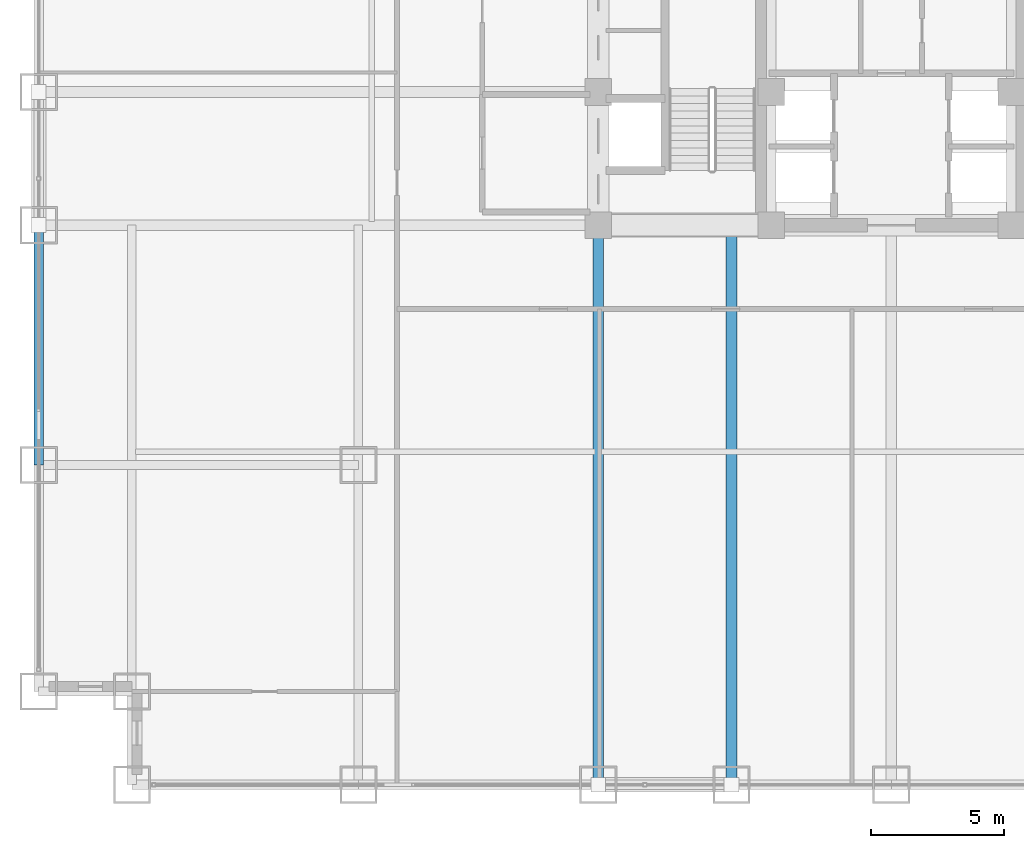
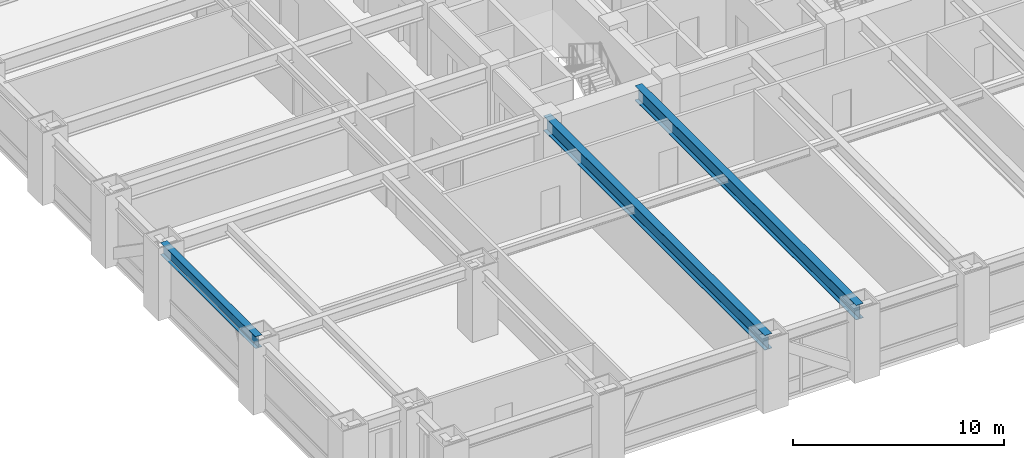
# One storey, part 5 of 27: 3 beams.
"""IFC4 building model written with IfcOpenShell, lengths in metres."""

from ifc_helpers import new_model, si_unit, direction, frame, origin, origin_2d, place, context, subcontext, project, spatial, i_section, extrude, source, transform, mapped, material, material_profile, profile_set, type_object, element, save


model = new_model("IFC4")

# Units and contexts
model_context = context("Model", 3, precision=1e-05, world=origin(), true_north=direction((0.0, 1.0)))
body_context = subcontext(model_context, "Body", "Model", "MODEL_VIEW")
ifc_project = project(units=[si_unit("LENGTHUNIT", "METRE"), si_unit("AREAUNIT", "SQUARE_METRE"), si_unit("VOLUMEUNIT", "CUBIC_METRE"), si_unit("PLANEANGLEUNIT", "RADIAN"), si_unit("MASSUNIT", "GRAM", prefix="KILO")], contexts=[model_context])

# Site, building, storey
site_placement = place(None, origin())
site = spatial("IfcSite", under=ifc_project, at=site_placement, CompositionType="ELEMENT")
building_placement = place(site_placement, origin())
building = spatial("IfcBuilding", under=site, at=building_placement, Name="Khorayat Bourse Tower", CompositionType="ELEMENT")
storey_placement = place(building_placement, frame((0.0, 0.0, 53.60009765625)))
storey = spatial("IfcBuildingStorey", under=building, at=storey_placement, Name="L11", CompositionType="ELEMENT", Elevation=53.60009765625)

# Beams
ifc_material = material(Name="Steel ASTM A992 Grade 50", Category="steel")
ifc_material_profile_1 = material_profile(ifc_material, i_section(OverallWidth=0.35498046875, OverallDepth=0.695068359375, WebThickness=0.015380859375, FlangeThickness=0.02490234375, FilletRadius=0.01806640625, at=origin_2d()), Name="W690X217")
ifc_profile_set_1 = profile_set([ifc_material_profile_1], Name="Steel ASTM A992 Grade 50")
beam_type_1 = type_object("IfcBeamType", Name="BM-SPAN-690", PredefinedType="SPANDREL", material=ifc_profile_set_1)
shared_shape_1 = source(origin(), body_context, "Body", "SweptSolid", [
    extrude(i_section(OverallWidth=0.35498046875, OverallDepth=0.695068359375, WebThickness=0.015380859375, FlangeThickness=0.02490234375, FilletRadius=0.01806640625, at=origin_2d()), origin(), (0.0, 0.0, 1.0), 9.0),
])
beam_placement = place(storey_placement, frame((-32.0, -20.0, 3.59228515625), z_axis=(0.0, 1.0, 0.0), x_axis=(-1.0, 0.0, 0.0)))
element("IfcBeam", 1, at=beam_placement, inside=storey, type_object=beam_type_1, Name="L11 BM-SPAN-690 BM-L11-SPN-060", PredefinedType="SPANDREL", context=body_context, shape_type="MappedRepresentation", body=[
    mapped(shared_shape_1, transform((0.0, 0.0, 0.0), scale=1.0)),
])
ifc_material_profile_2 = material_profile(ifc_material, i_section(OverallWidth=0.39990234375, OverallDepth=0.85498046875, WebThickness=0.018310546875, FlangeThickness=0.029296875, FilletRadius=0.02001953125, at=origin_2d()), Name="W840X299")
ifc_profile_set_2 = profile_set([ifc_material_profile_2], Name="Steel ASTM A992 Grade 50")
beam_type_2 = type_object("IfcBeamType", Name="BM-GIRD-840", PredefinedType="BEAM", material=ifc_profile_set_2)
shared_shape_2 = source(origin(), body_context, "Body", "SweptSolid", [
    extrude(i_section(OverallWidth=0.39990234375, OverallDepth=0.85498046875, WebThickness=0.018310546875, FlangeThickness=0.029296875, FilletRadius=0.02001953125, at=origin_2d()), origin(), (0.0, 0.0, 1.0), 21.0),
])
for number, where, z_axis, x_axis, name in (
    (2, (-11.0, -32.0, 3.512451171875), (0.0, 1.0, 0.0), (-1.0, 0.0, 0.0), "L11 BM-GIRD-840 BM-L11-RADY-065"),
    (3, (-6.0, -32.0, 3.512451171875), (0.0, 1.0, 0.0), (-1.0, 0.0, 0.0), "L11 BM-GIRD-840 BM-L11-RADY-067"),
):
    element("IfcBeam", number, at=place(storey_placement, frame(where, z_axis=z_axis, x_axis=x_axis)), inside=storey, type_object=beam_type_2, Name=name, PredefinedType="BEAM", context=body_context, shape_type="MappedRepresentation", body=[
        mapped(shared_shape_2, transform((0.0, 0.0, 0.0), scale=1.0)),
    ])

save(model, "model.ifc")
